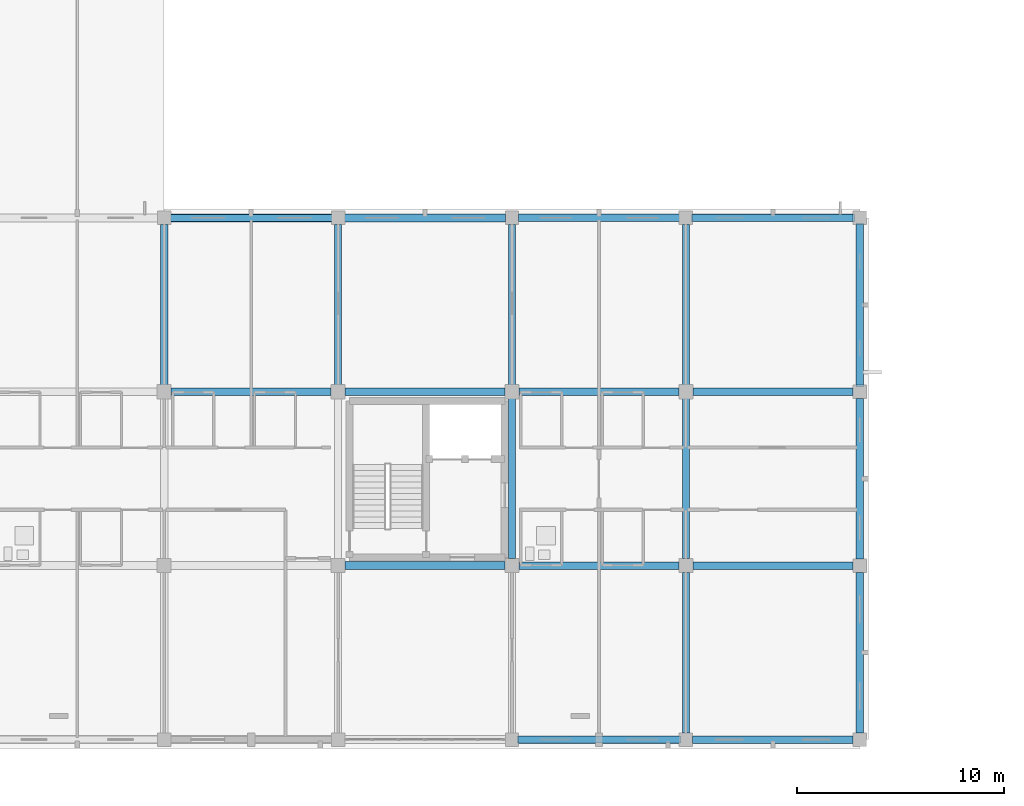
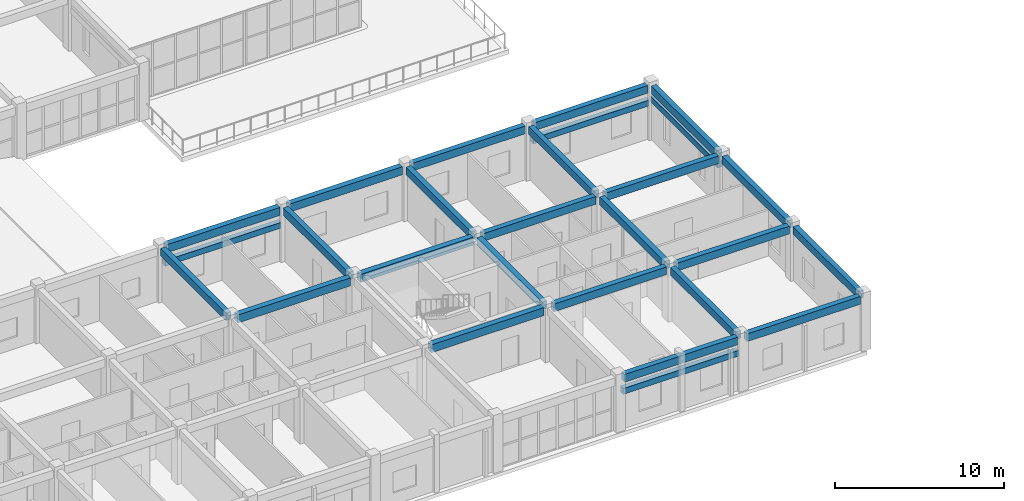
# One storey, part 24 of 90: 27 beams.
"""IFC4 building model written with IfcOpenShell, lengths in metres."""

import ifcopenshell
import ifcopenshell.guid

model = None  # the IFC model being written
_history = None  # IfcOwnerHistory: only IFC2X3 demands one
_inside = {}  # id of a spatial element -> (the spatial element, [elements in it])
_under = {}  # id of a project, library or spatial element -> (it, [spatial elements below it])
_declared = {}  # id of a project -> (the project, [libraries it declares])
_typed = {}  # id of a type object -> (the type object, [elements of that type])
_made_of = {}  # id of a material, layer set ... -> (it, [elements and type objects made of it])


def new_model(schema):
    """Start an empty IFC model of exactly this schema.

    Asked for "IFC4X3", IfcOpenShell would pick the latest addendum, in which some entities
    have other attributes; the version numbers below select the first issue.
    IFC2X3 requires an IfcOwnerHistory on every rooted entity: one is made here for all.
    """
    global model, _history
    if schema == "IFC4X3":
        model = ifcopenshell.file(schema_version=(4, 3, 0, 0))
    else:
        model = ifcopenshell.file(schema=schema)
    _inside.clear()
    _under.clear()
    _declared.clear()
    _typed.clear()
    _made_of.clear()
    _history = None
    if model.schema == "IFC2X3":
        org = make("IfcOrganization", Name="unknown")
        user = make(
            "IfcPersonAndOrganization",
            ThePerson=make("IfcPerson", FamilyName="unknown"),
            TheOrganization=org,
        )
        app = make(
            "IfcApplication",
            ApplicationDeveloper=org,
            Version="unknown",
            ApplicationFullName="unknown",
            ApplicationIdentifier="unknown",
        )
        _history = make(
            "IfcOwnerHistory",
            OwningUser=user,
            OwningApplication=app,
            ChangeAction="ADDED",
            CreationDate=0,
        )
    return model


def make(cls, **values):
    """One entity of the class cls with the attributes given. An attribute that is None is left unset."""
    return model.create_entity(
        cls, **{name: value for name, value in values.items() if value is not None}
    )


def rooted(cls, **values):
    """An entity with a GlobalId (a new one), such as an element, a storey or a relation."""
    return make(cls, GlobalId=ifcopenshell.guid.new(), OwnerHistory=_history, **values)


def si_unit(unit_type, name, prefix=None):
    """IfcSIUnit, for example si_unit("LENGTHUNIT", "METRE", prefix="MILLI")."""
    return make("IfcSIUnit", UnitType=unit_type, Prefix=prefix, Name=name)


def assignment(units):
    """IfcUnitAssignment: the units of a project."""
    return None if units is None else make("IfcUnitAssignment", Units=units)


def point(xyz):
    """IfcCartesianPoint."""
    return None if xyz is None else make("IfcCartesianPoint", Coordinates=xyz)


def direction(xyz):
    """IfcDirection."""
    return None if xyz is None else make("IfcDirection", DirectionRatios=xyz)


def frame(location, z_axis=None, x_axis=None):
    """IfcAxis2Placement3D, a coordinate frame: its origin and axes. An axis left out is left unset."""
    return make(
        "IfcAxis2Placement3D",
        Location=point(location),
        Axis=direction(z_axis),
        RefDirection=direction(x_axis),
    )


def frame_2d(location, x_axis=None):
    """IfcAxis2Placement2D, a coordinate frame in the plane: its origin and x axis."""
    return make(
        "IfcAxis2Placement2D", Location=point(location), RefDirection=direction(x_axis)
    )


def origin():
    """The frame at (0, 0, 0) with its axes left unset."""
    return frame((0.0, 0.0, 0.0))


def origin_2d():
    """The frame at (0, 0) in the plane with its x axis left unset."""
    return frame_2d((0.0, 0.0))


def place(relative_to, where):
    """IfcLocalPlacement: puts the frame where relative to a parent placement (None: the world)."""
    return make(
        "IfcLocalPlacement", PlacementRelTo=relative_to, RelativePlacement=where
    )


def context(
    kind, dimensions, precision=None, world=None, true_north=None, identifier=None
):
    """IfcGeometricRepresentationContext, for example the 3D "Model" context."""
    return make(
        "IfcGeometricRepresentationContext",
        ContextIdentifier=identifier,
        ContextType=kind,
        CoordinateSpaceDimension=dimensions,
        Precision=precision,
        WorldCoordinateSystem=world,
        TrueNorth=true_north,
    )


def subcontext(parent, identifier, kind, view, scale=None):
    """IfcGeometricRepresentationSubContext, for example "Body" below "Model"."""
    return make(
        "IfcGeometricRepresentationSubContext",
        ContextIdentifier=identifier,
        ContextType=kind,
        ParentContext=parent,
        TargetScale=scale,
        TargetView=view,
    )


def project(units=None, contexts=None):
    """IfcProject with its units and contexts."""
    return rooted(
        "IfcProject",
        Name="project",
        RepresentationContexts=contexts,
        UnitsInContext=assignment(units),
    )


def spatial(cls, under=None, at=None, **own):
    """A site, building, storey or space (cls), placed at a placement, below another one or the project."""
    s = rooted(cls, ObjectPlacement=at, **own)
    if under is not None:
        _under.setdefault(under.id(), (under, []))[1].append(s)
    return s


def profile(cls, at=None, kind="AREA", **sizes):
    """A parametric profile (cls). Its sizes go by their IFC names, for example OverallWidth=200.0."""
    return make(cls, ProfileType=kind, Position=at, **sizes)


def rectangle(**sizes):
    """IfcRectangleProfileDef."""
    return profile("IfcRectangleProfileDef", **sizes)


def extrude(swept, where, along, depth):
    """IfcExtrudedAreaSolid: the profile swept, set in the frame where, extruded along a direction by depth."""
    return make(
        "IfcExtrudedAreaSolid",
        SweptArea=swept,
        Position=where,
        ExtrudedDirection=direction(along),
        Depth=depth,
    )


def shape(context_of_items, identifier, shape_type, items):
    """IfcShapeRepresentation: the items that make up one representation, for example the "Body"."""
    return make(
        "IfcShapeRepresentation",
        ContextOfItems=context_of_items,
        RepresentationIdentifier=identifier,
        RepresentationType=shape_type,
        Items=items,
    )


def material(Name=None, Category=None):
    """IfcMaterial."""
    return make("IfcMaterial", Name=Name, Category=Category)


def material_profile(
    of_material, cross_section, Name=None, Category=None, Priority=None
):
    """IfcMaterialProfile: a cross section and its material."""
    return make(
        "IfcMaterialProfile",
        Name=Name,
        Material=of_material,
        Profile=cross_section,
        Priority=Priority,
        Category=Category,
    )


def profile_set(profiles, Name=None, composite=None):
    """IfcMaterialProfileSet."""
    return make(
        "IfcMaterialProfileSet",
        Name=Name,
        MaterialProfiles=profiles,
        CompositeProfile=composite,
    )


def made_of(thing, what):
    """Note that an element or type object is made of a material, layer set ...; save() writes the relation."""
    if what is not None:
        _made_of.setdefault(what.id(), (what, []))[1].append(thing)
    return thing


def type_object(cls, material=None, **own):
    """A type object (cls), such as IfcWallType, which elements share."""
    return made_of(rooted(cls, **own), material)


def element(
    cls,
    number,
    at=None,
    inside=None,
    cuts=None,
    type_object=None,
    material=None,
    context=None,
    identifier="Body",
    shape_type=None,
    held_by="IfcProductDefinitionShape",
    body=None,
    shapes=None,
    **own,
):
    """One element of the class cls, such as IfcWall. Its Tag is "e" and its number.

    at: its placement. inside: the storey or other place that contains it. cuts: it is an
    opening in that element (IfcRelVoidsElement). A single representation is given by context,
    identifier, shape_type and body (its items); several are given by shapes. held_by: the class
    of the entity that holds the representations. save() writes the other relations.
    """
    e = rooted(cls, Tag="e%d" % number, ObjectPlacement=at, **own)
    if body is not None:
        shapes = [shape(context, identifier, shape_type, body)]
    if shapes is not None:
        e.Representation = make(held_by, Representations=shapes)
    if inside is not None:
        _inside.setdefault(inside.id(), (inside, []))[1].append(e)
    if cuts is not None:
        rooted(
            "IfcRelVoidsElement", RelatingBuildingElement=cuts, RelatedOpeningElement=e
        )
    if type_object is not None:
        _typed.setdefault(type_object.id(), (type_object, []))[1].append(e)
    return made_of(e, material)


def aggregate(whole, parts):
    """IfcRelAggregates: a whole, such as a stair, and the parts it consists of."""
    return rooted("IfcRelAggregates", RelatingObject=whole, RelatedObjects=parts)


def save(model, path):
    """Write the relations noted so far, then the file.

    IfcRelAggregates (storeys below a building ...), IfcRelContainedInSpatialStructure (elements
    in a storey), IfcRelDefinesByType, IfcRelAssociatesMaterial and IfcRelDeclares: one each for
    every whole, place, type object, material and project.
    """
    for whole, parts in _under.values():
        aggregate(whole, parts)
    for where, things in _inside.values():
        rooted(
            "IfcRelContainedInSpatialStructure",
            RelatedElements=things,
            RelatingStructure=where,
        )
    for kind, things in _typed.values():
        rooted("IfcRelDefinesByType", RelatedObjects=things, RelatingType=kind)
    for what, things in _made_of.values():
        rooted("IfcRelAssociatesMaterial", RelatedObjects=things, RelatingMaterial=what)
    for by, libraries in _declared.values():
        rooted("IfcRelDeclares", RelatingContext=by, RelatedDefinitions=libraries)
    model.write(path)


model = new_model("IFC4")

# Units and contexts
model_context = context("Model", 3, precision=1e-05, world=origin(), true_north=direction((0.0, 1.0)))
body_context = subcontext(model_context, "Body", "Model", "MODEL_VIEW")
ifc_project = project(units=[si_unit("LENGTHUNIT", "METRE"), si_unit("AREAUNIT", "SQUARE_METRE"), si_unit("VOLUMEUNIT", "CUBIC_METRE"), si_unit("PLANEANGLEUNIT", "RADIAN"), si_unit("MASSUNIT", "GRAM", prefix="KILO")], contexts=[model_context])

# Site, building, storey
site_placement = place(None, origin())
site = spatial("IfcSite", under=ifc_project, at=site_placement, CompositionType="ELEMENT")
building_placement = place(site_placement, origin())
building = spatial("IfcBuilding", under=site, at=building_placement, Name="Trelvath General Hospital", CompositionType="ELEMENT")
storey_placement = place(building_placement, frame((0.0, 0.0, 20.39990234375)))
storey = spatial("IfcBuildingStorey", under=building, at=storey_placement, Name="L05", CompositionType="ELEMENT", Elevation=20.39990234375)

# Beams
ifc_material_1 = material(Name="Concrete C35/45", Category="concrete")
ifc_material_profile_1 = material_profile(ifc_material_1, rectangle(XDim=0.35009765625, YDim=0.550048828125, at=origin_2d()), Name="RCB350x550")
ifc_profile_set_1 = profile_set([ifc_material_profile_1], Name="Concrete C35/45")
beam_type_1 = type_object("IfcBeamType", Name="Beam RC350x550", PredefinedType="BEAM", material=ifc_profile_set_1)
for number, where, z_axis, x_axis, name in (
    (1, (84.0, 17.135009765625, 3.64501953125), (0.0, 1.0, 0.0), (-1.0, 0.0, 0.0), "Grid Beam BY-510C"),
    (2, (92.39990234375, 17.135009765625, 3.64501953125), (0.0, 1.0, 0.0), (-1.0, 0.0, 0.0), "Grid Beam BY-511C"),
):
    element("IfcBeam", number, at=place(storey_placement, frame(where, z_axis=z_axis, x_axis=x_axis)), inside=storey, type_object=beam_type_1, Name=name, PredefinedType="BEAM", context=body_context, shape_type="SweptSolid", body=[
        extrude(rectangle(XDim=0.35009765625, YDim=0.550048828125, at=origin_2d()), origin(), (0.0, 0.0, 1.0), 7.744873046875),
    ])
beam_1_placement = place(storey_placement, frame((100.800048828125, 8.735107421875, 3.64501953125), z_axis=(0.0, 1.0, 0.0), x_axis=(-1.0, 0.0, 0.0)))
element("IfcBeam", 3, at=beam_1_placement, inside=storey, type_object=beam_type_1, Name="Grid Beam BY-512B", PredefinedType="BEAM", context=body_context, shape_type="SweptSolid", body=[
    extrude(rectangle(XDim=0.35009765625, YDim=0.550048828125, at=origin_2d()), origin(), (0.0, 0.0, 1.0), 7.72998046875),
])
for number, where, z_axis, x_axis, name in (
    (4, (100.800048828125, 17.135009765625, 3.64501953125), (0.0, 1.0, 0.0), (-1.0, 0.0, 0.0), "Grid Beam BY-512C"),
    (5, (109.199951171875, 0.320068359375, 3.64501953125), (0.0, 1.0, 0.0), (-1.0, 0.0, 0.0), "Grid Beam BY-513A"),
):
    element("IfcBeam", number, at=place(storey_placement, frame(where, z_axis=z_axis, x_axis=x_axis)), inside=storey, type_object=beam_type_1, Name=name, PredefinedType="BEAM", context=body_context, shape_type="SweptSolid", body=[
        extrude(rectangle(XDim=0.35009765625, YDim=0.550048828125, at=origin_2d()), origin(), (0.0, 0.0, 1.0), 7.744873046875),
    ])
beam_2_placement = place(storey_placement, frame((109.199951171875, 8.735107421875, 3.64501953125), z_axis=(0.0, 1.0, 0.0), x_axis=(-1.0, 0.0, 0.0)))
element("IfcBeam", 6, at=beam_2_placement, inside=storey, type_object=beam_type_1, Name="Grid Beam BY-513B", PredefinedType="BEAM", context=body_context, shape_type="SweptSolid", body=[
    extrude(rectangle(XDim=0.35009765625, YDim=0.550048828125, at=origin_2d()), origin(), (0.0, 0.0, 1.0), 7.72998046875),
])
beam_3_placement = place(storey_placement, frame((109.199951171875, 17.135009765625, 3.64501953125), z_axis=(0.0, 1.0, 0.0), x_axis=(-1.0, 0.0, 0.0)))
element("IfcBeam", 7, at=beam_3_placement, inside=storey, type_object=beam_type_1, Name="Grid Beam BY-513C", PredefinedType="BEAM", context=body_context, shape_type="SweptSolid", body=[
    extrude(rectangle(XDim=0.35009765625, YDim=0.550048828125, at=origin_2d()), origin(), (0.0, 0.0, 1.0), 7.744873046875),
])
for number, where, z_axis, x_axis, name in (
    (8, (117.60009765625, 0.320068359375, 3.64501953125), (0.0, 1.0, 0.0), (-1.0, 0.0, 0.0), "Grid Beam BY-514A"),
    (9, (117.60009765625, 8.719970703125, 3.64501953125), (0.0, 1.0, 0.0), (-1.0, 0.0, 0.0), "Grid Beam BY-514B"),
):
    element("IfcBeam", number, at=place(storey_placement, frame(where, z_axis=z_axis, x_axis=x_axis)), inside=storey, type_object=beam_type_1, Name=name, PredefinedType="BEAM", context=body_context, shape_type="SweptSolid", body=[
        extrude(rectangle(XDim=0.35009765625, YDim=0.550048828125, at=origin_2d()), origin(), (0.0, 0.0, 1.0), 7.760009765625),
    ])
beam_4_placement = place(storey_placement, frame((117.60009765625, 17.1201171875, 3.64501953125), z_axis=(0.0, 1.0, 0.0), x_axis=(-1.0, 0.0, 0.0)))
element("IfcBeam", 10, at=beam_4_placement, inside=storey, type_object=beam_type_1, Name="Grid Beam BY-514C", PredefinedType="BEAM", context=body_context, shape_type="SweptSolid", body=[
    extrude(rectangle(XDim=0.35009765625, YDim=0.550048828125, at=origin_2d()), origin(), (0.0, 0.0, 1.0), 7.759765625),
])
ifc_material_2 = material(Name="Concrete C35/45", Category="concrete")
ifc_material_profile_2 = material_profile(ifc_material_2, rectangle(XDim=0.360107421875, YDim=0.56005859375, at=origin_2d()), Name="RCB360x560")
ifc_profile_set_2 = profile_set([ifc_material_profile_2], Name="Concrete C35/45")
beam_type_2 = type_object("IfcBeamType", Name="Beam RC360x560", PredefinedType="BEAM", material=ifc_profile_set_2)
beam_5_placement = place(storey_placement, frame((101.1201171875, 0.0, 3.64013671875), z_axis=(1.0, 0.0, 0.0), x_axis=(0.0, 1.0, 0.0)))
element("IfcBeam", 11, at=beam_5_placement, inside=storey, type_object=beam_type_2, Name="Grid Beam BX-512A", PredefinedType="BEAM", context=body_context, shape_type="SweptSolid", body=[
    extrude(rectangle(XDim=0.360107421875, YDim=0.56005859375, at=origin_2d()), origin(), (0.0, 0.0, 1.0), 7.759765625),
])
for number, where, z_axis, x_axis, name in (
    (12, (101.135009765625, 8.39990234375, 3.64013671875), (1.0, 0.0, 0.0), (0.0, 1.0, 0.0), "Grid Beam BX-512B"),
    (13, (101.135009765625, 16.800048828125, 3.64013671875), (1.0, 0.0, 0.0), (0.0, 1.0, 0.0), "Grid Beam BX-512C"),
):
    element("IfcBeam", number, at=place(storey_placement, frame(where, z_axis=z_axis, x_axis=x_axis)), inside=storey, type_object=beam_type_2, Name=name, PredefinedType="BEAM", context=body_context, shape_type="SweptSolid", body=[
        extrude(rectangle(XDim=0.360107421875, YDim=0.56005859375, at=origin_2d()), origin(), (0.0, 0.0, 1.0), 7.72998046875),
    ])
beam_6_placement = place(storey_placement, frame((101.1201171875, 25.199951171875, 3.64013671875), z_axis=(1.0, 0.0, 0.0), x_axis=(0.0, 1.0, 0.0)))
element("IfcBeam", 14, at=beam_6_placement, inside=storey, type_object=beam_type_2, Name="Grid Beam BX-512D", PredefinedType="BEAM", context=body_context, shape_type="SweptSolid", body=[
    extrude(rectangle(XDim=0.360107421875, YDim=0.56005859375, at=origin_2d()), origin(), (0.0, 0.0, 1.0), 7.759765625),
])
beam_7_placement = place(storey_placement, frame((109.52001953125, 0.0, 3.64013671875), z_axis=(1.0, 0.0, 0.0), x_axis=(0.0, 1.0, 0.0)))
element("IfcBeam", 15, at=beam_7_placement, inside=storey, type_object=beam_type_2, Name="Grid Beam BX-513A", PredefinedType="BEAM", context=body_context, shape_type="SweptSolid", body=[
    extrude(rectangle(XDim=0.360107421875, YDim=0.56005859375, at=origin_2d()), origin(), (0.0, 0.0, 1.0), 7.760009765625),
])
for number, where, z_axis, x_axis, name in (
    (16, (109.534912109375, 8.39990234375, 3.64013671875), (1.0, 0.0, 0.0), (0.0, 1.0, 0.0), "Grid Beam BX-513B"),
    (17, (109.534912109375, 16.800048828125, 3.64013671875), (1.0, 0.0, 0.0), (0.0, 1.0, 0.0), "Grid Beam BX-513C"),
):
    element("IfcBeam", number, at=place(storey_placement, frame(where, z_axis=z_axis, x_axis=x_axis)), inside=storey, type_object=beam_type_2, Name=name, PredefinedType="BEAM", context=body_context, shape_type="SweptSolid", body=[
        extrude(rectangle(XDim=0.360107421875, YDim=0.56005859375, at=origin_2d()), origin(), (0.0, 0.0, 1.0), 7.7451171875),
    ])
beam_8_placement = place(storey_placement, frame((109.52001953125, 25.199951171875, 3.64013671875), z_axis=(1.0, 0.0, 0.0), x_axis=(0.0, 1.0, 0.0)))
element("IfcBeam", 18, at=beam_8_placement, inside=storey, type_object=beam_type_2, Name="Grid Beam BX-513D", PredefinedType="BEAM", context=body_context, shape_type="SweptSolid", body=[
    extrude(rectangle(XDim=0.360107421875, YDim=0.56005859375, at=origin_2d()), origin(), (0.0, 0.0, 1.0), 7.760009765625),
])
ifc_material_3 = material(Name="Concrete C35/45", Category="concrete")
ifc_material_profile_3 = material_profile(ifc_material_3, rectangle(XDim=0.3798828125, YDim=0.580078125, at=origin_2d()), Name="RCB380x580")
ifc_profile_set_3 = profile_set([ifc_material_profile_3], Name="Concrete C35/45")
beam_type_3 = type_object("IfcBeamType", Name="Beam RC380x580", PredefinedType="BEAM", material=ifc_profile_set_3)
beam_9_placement = place(storey_placement, frame((84.3349609375, 16.800048828125, 3.630126953125), z_axis=(1.0, 0.0, 0.0), x_axis=(0.0, 1.0, 0.0)))
element("IfcBeam", 19, at=beam_9_placement, inside=storey, type_object=beam_type_3, Name="Grid Beam BX-510C", PredefinedType="BEAM", context=body_context, shape_type="SweptSolid", body=[
    extrude(rectangle(XDim=0.3798828125, YDim=0.580078125, at=origin_2d()), origin(), (0.0, 0.0, 1.0), 7.72998046875),
])
beam_10_placement = place(storey_placement, frame((84.320068359375, 25.199951171875, 3.630126953125), z_axis=(1.0, 0.0, 0.0), x_axis=(0.0, 1.0, 0.0)))
element("IfcBeam", 20, at=beam_10_placement, inside=storey, type_object=beam_type_3, Name="Grid Beam BX-510D", PredefinedType="BEAM", context=body_context, shape_type="SweptSolid", body=[
    extrude(rectangle(XDim=0.3798828125, YDim=0.580078125, at=origin_2d()), origin(), (0.0, 0.0, 1.0), 7.760009765625),
])
for number, where, z_axis, x_axis, name in (
    (21, (92.735107421875, 8.39990234375, 3.630126953125), (1.0, 0.0, 0.0), (0.0, 1.0, 0.0), "Grid Beam BX-511B"),
    (22, (92.735107421875, 16.800048828125, 3.630126953125), (1.0, 0.0, 0.0), (0.0, 1.0, 0.0), "Grid Beam BX-511C"),
):
    element("IfcBeam", number, at=place(storey_placement, frame(where, z_axis=z_axis, x_axis=x_axis)), inside=storey, type_object=beam_type_3, Name=name, PredefinedType="BEAM", context=body_context, shape_type="SweptSolid", body=[
        extrude(rectangle(XDim=0.3798828125, YDim=0.580078125, at=origin_2d()), origin(), (0.0, 0.0, 1.0), 7.72998046875),
    ])
beam_11_placement = place(storey_placement, frame((92.719970703125, 25.199951171875, 3.630126953125), z_axis=(1.0, 0.0, 0.0), x_axis=(0.0, 1.0, 0.0)))
element("IfcBeam", 23, at=beam_11_placement, inside=storey, type_object=beam_type_3, Name="Grid Beam BX-511D", PredefinedType="BEAM", context=body_context, shape_type="SweptSolid", body=[
    extrude(rectangle(XDim=0.3798828125, YDim=0.580078125, at=origin_2d()), origin(), (0.0, 0.0, 1.0), 7.760009765625),
])
ifc_material_4 = material(Name="Precast concrete C40/50", Category="concrete")
ifc_material_profile_4 = material_profile(ifc_material_4, rectangle(XDim=0.35009765625, YDim=0.419921875, at=origin_2d()), Name="PCL350x420")
ifc_profile_set_4 = profile_set([ifc_material_profile_4], Name="Precast concrete C40/50")
beam_type_4 = type_object("IfcBeamType", Name="Lintel PC350x420", PredefinedType="LINTEL", material=ifc_profile_set_4)
for number, where, z_axis, x_axis, name in (
    (24, (84.239990234375, 25.199951171875, 2.590087890625), (1.0, 0.0, 0.0), (0.0, 1.0, 0.0), "Precast Window Brow Lintel L05-524"),
    (25, (108.9599609375, 0.0, 2.72021484375), (-1.0, 0.0, 0.0), (0.0, -1.0, 0.0), "Precast Window Brow Lintel L05-532"),
):
    element("IfcBeam", number, at=place(storey_placement, frame(where, z_axis=z_axis, x_axis=x_axis)), inside=storey, type_object=beam_type_4, Name=name, PredefinedType="LINTEL", context=body_context, shape_type="SweptSolid", body=[
        extrude(rectangle(XDim=0.35009765625, YDim=0.419921875, at=origin_2d()), origin(), (0.0, 0.0, 1.0), 7.919921875),
    ])
beam_12_placement = place(storey_placement, frame((109.43994140625, 25.199951171875, 2.6201171875), z_axis=(1.0, 0.0, 0.0), x_axis=(0.0, 1.0, 0.0)))
element("IfcBeam", 26, at=beam_12_placement, inside=storey, type_object=beam_type_4, Name="Precast Window Brow Lintel L05-539", PredefinedType="LINTEL", context=body_context, shape_type="SweptSolid", body=[
    extrude(rectangle(XDim=0.35009765625, YDim=0.419921875, at=origin_2d()), origin(), (0.0, 0.0, 1.0), 7.920166015625),
])
beam_13_placement = place(storey_placement, frame((117.60009765625, 24.9599609375, 2.920166015625), z_axis=(0.0, -1.0, 0.0), x_axis=(1.0, 0.0, 0.0)))
element("IfcBeam", 27, at=beam_13_placement, inside=storey, type_object=beam_type_4, Name="Precast Window Brow Lintel L05-540", PredefinedType="LINTEL", context=body_context, shape_type="SweptSolid", body=[
    extrude(rectangle(XDim=0.35009765625, YDim=0.419921875, at=origin_2d()), origin(), (0.0, 0.0, 1.0), 7.919921875),
])

save(model, "model.ifc")
